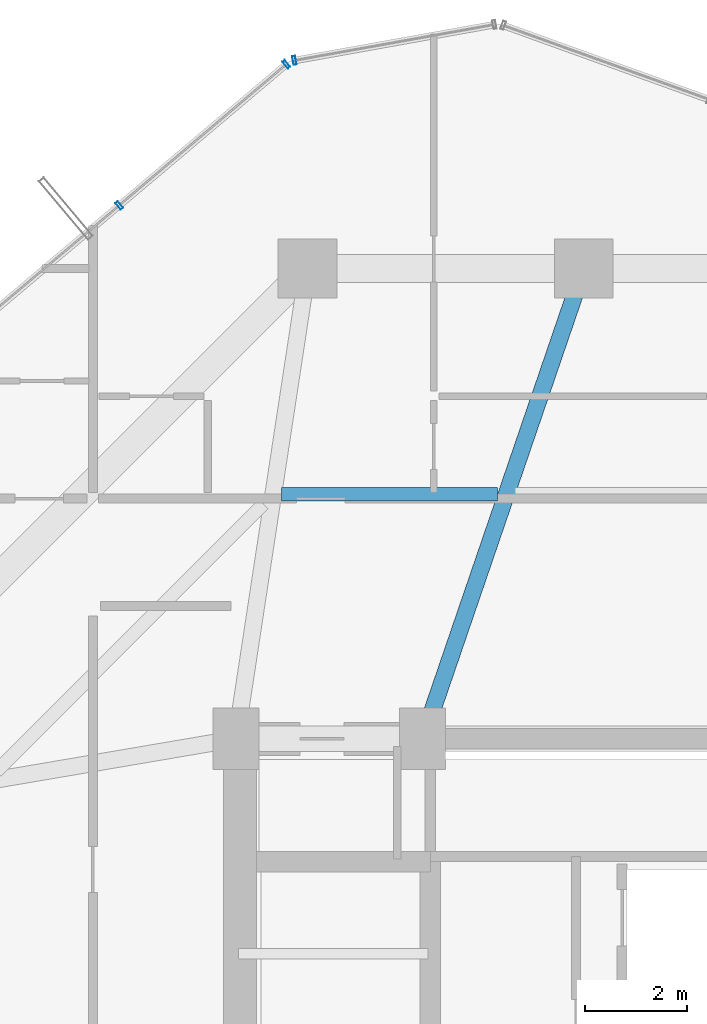
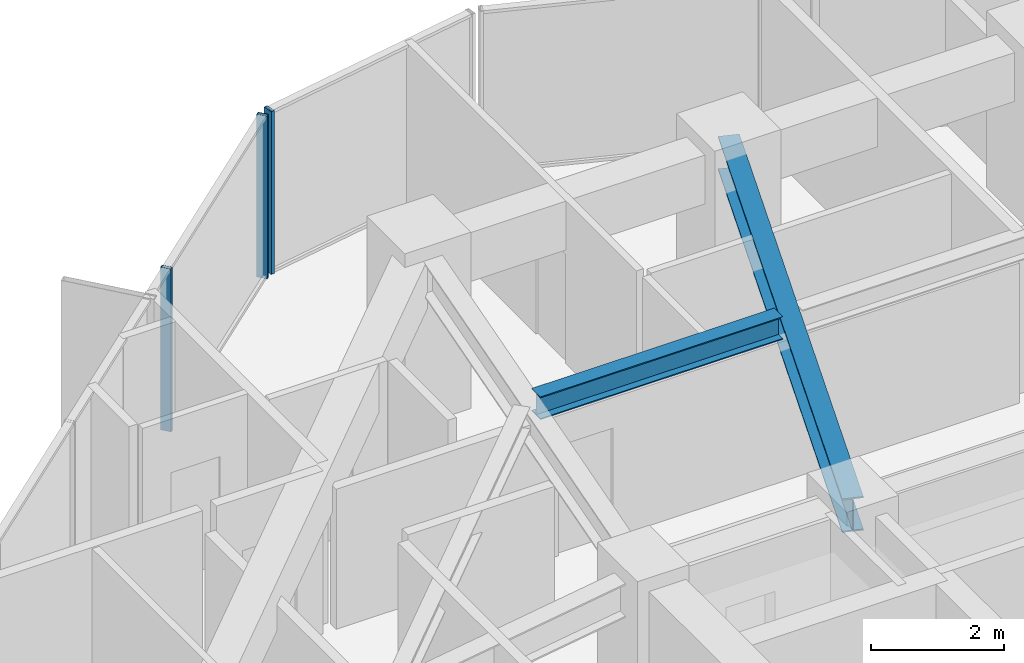
# One storey, part 23 of 36: 3 members, 2 beams, 2 elements without a shape of their own.
"""IFC4 building model written with IfcOpenShell, lengths in metres."""

from ifc_helpers import new_model, si_unit, direction, frame, origin, origin_2d, place, context, subcontext, project, spatial, hollow_rectangle, i_section, extrude, source, transform, mapped, material, layer, layer_set, material_profile, profile_set, type_object, element, aggregate, save


model = new_model("IFC4")

# Units and contexts
model_context = context("Model", 3, precision=1e-05, world=origin(), true_north=direction((0.0, 1.0)))
body_context = subcontext(model_context, "Body", "Model", "MODEL_VIEW")
ifc_project = project(units=[si_unit("LENGTHUNIT", "METRE"), si_unit("AREAUNIT", "SQUARE_METRE"), si_unit("VOLUMEUNIT", "CUBIC_METRE"), si_unit("PLANEANGLEUNIT", "RADIAN"), si_unit("MASSUNIT", "GRAM", prefix="KILO")], contexts=[model_context])

# Site, building, storey
site_placement = place(None, origin())
site = spatial("IfcSite", under=ifc_project, at=site_placement, CompositionType="ELEMENT")
building_placement = place(site_placement, origin())
building = spatial("IfcBuilding", under=site, at=building_placement, Name="Veraguas Prism Commons", CompositionType="ELEMENT")
storey_placement = place(building_placement, frame((0.0, 0.0, 163.050048828125)))
storey = spatial("IfcBuildingStorey", under=building, at=storey_placement, Name="L46", CompositionType="ELEMENT", Elevation=163.050048828125)

# Beams
ifc_material_1 = material(Name="Steel ASTM A992 Grade 50", Category="steel")
ifc_material_profile_1 = material_profile(ifc_material_1, i_section(OverallWidth=0.260986328125, OverallDepth=0.419921875, WebThickness=0.01171875, FlangeThickness=0.019287109375, at=origin_2d()), Name="W410X114")
ifc_profile_set_1 = profile_set([ifc_material_profile_1], Name="Steel ASTM A992 Grade 50")
beam_type_1 = type_object("IfcBeamType", Name="Lower Floor Joist W410x114", PredefinedType="JOIST", material=ifc_profile_set_1)
beam_1_placement = place(storey_placement, frame((22.31689453125, 35.783935546875, 2.7900390625), z_axis=(-1.0, 0.0, 0.0), x_axis=(0.0, -1.0, 0.0)))
element("IfcBeam", 1, at=beam_1_placement, inside=storey, type_object=beam_type_1, Name="Composite Floor Joist L46-JS05", PredefinedType="JOIST", context=body_context, shape_type="SweptSolid", body=[
    extrude(i_section(OverallWidth=0.260986328125, OverallDepth=0.419921875, WebThickness=0.01171875, FlangeThickness=0.019287109375, at=origin_2d()), origin(), (0.0, 0.0, 1.0), 4.22509765625),
])
ifc_material_profile_2 = material_profile(ifc_material_1, i_section(OverallWidth=0.327880859375, OverallDepth=0.6220703125, WebThickness=0.015380859375, FlangeThickness=0.0244140625, at=origin_2d()), Name="W610X195")
ifc_profile_set_2 = profile_set([ifc_material_profile_2], Name="Steel ASTM A992 Grade 50")
beam_type_2 = type_object("IfcBeamType", Name="Zone 2 Radial Girder W610x195", PredefinedType="BEAM", material=ifc_profile_set_2)
beam_2_placement = place(storey_placement, frame((24.0, 40.199951171875, 2.68896484375), z_axis=(-0.323922482989, -0.946083624747, 0.0), x_axis=(0.946083624747, -0.323922482989, 0.0)))
element("IfcBeam", 2, at=beam_2_placement, inside=storey, type_object=beam_type_2, Name="Radial Floor Girder L46-RD05", PredefinedType="BEAM", context=body_context, shape_type="SweptSolid", body=[
    extrude(i_section(OverallWidth=0.327880859375, OverallDepth=0.6220703125, WebThickness=0.015380859375, FlangeThickness=0.0244140625, at=origin_2d()), origin(), (0.0, 0.0, 1.0), 9.724365234375),
])

# Curtain wall, members
ifc_material_2 = material(Name="Anodised aluminium EN AW-6063 T6", Category="aluminium")
ifc_layer = layer(ifc_material_2, 0.169921875, Name="Unitised Flush Curtain Wall Zone 2", Category="aluminium")
ifc_layer_set = layer_set([ifc_layer], Name="Anodised aluminium EN AW-6063 T6")
curtain_wall_type = type_object("IfcCurtainWallType", Name="Unitised Flush Curtain Wall Zone 2", PredefinedType="NOTDEFINED", material=ifc_layer_set)
curtain_wall_1_placement = place(storey_placement, origin())
curtain_wall_1 = element("IfcCurtainWall", 3, at=curtain_wall_1_placement, inside=storey, type_object=curtain_wall_type, Name="Tower Facade Curtain Wall L46-F2", PredefinedType="NOTDEFINED")
ifc_material_profile_3 = material_profile(ifc_material_2, hollow_rectangle(XDim=0.06005859375, YDim=0.169921875, WallThickness=0.00390625, at=origin_2d()), Name="AL60X170X4")
ifc_profile_set_3 = profile_set([ifc_material_profile_3], Name="Anodised aluminium EN AW-6063 T6")
member_type = type_object("IfcMemberType", Name="Curtain Wall Mullion Lower AL 60x170x4", PredefinedType="MULLION", material=ifc_profile_set_3)
shared_shape = source(origin(), body_context, "Body", "SweptSolid", [
    extrude(hollow_rectangle(XDim=0.06005859375, YDim=0.169921875, WallThickness=0.00390625, at=origin_2d()), origin(), (0.0, 0.0, 1.0), 3.0),
])
member_1_placement = place(storey_placement, frame((18.1845703125, 44.1962890625, 0.0), z_axis=(0.0, 0.0, 1.0), x_axis=(-0.764022415403, -0.645189699826, 0.0)))
member_1 = element("IfcMember", 4, at=member_1_placement, type_object=member_type, Name="CW-Z2 Mullion 1", PredefinedType="MULLION", context=body_context, shape_type="MappedRepresentation", body=[
    mapped(shared_shape, transform((0.0, 0.0, 0.0), scale=1.0)),
])
member_2_placement = place(storey_placement, frame((14.91552734375, 41.435791015625, 0.0), z_axis=(0.0, 0.0, 1.0), x_axis=(-0.764022415403, -0.645189699826, 0.0)))
member_2 = element("IfcMember", 5, at=member_2_placement, type_object=member_type, Name="CW-Z2 Mullion 2", PredefinedType="MULLION", context=body_context, shape_type="MappedRepresentation", body=[
    mapped(shared_shape, transform((0.0, 0.0, 0.0), scale=1.0)),
])
aggregate(curtain_wall_1, [member_1, member_2])

# Curtain wall, member
curtain_wall_2_placement = place(storey_placement, origin())
curtain_wall_2 = element("IfcCurtainWall", 6, at=curtain_wall_2_placement, inside=storey, type_object=curtain_wall_type, Name="Chamfer Curtain Wall L46-C2", PredefinedType="NOTDEFINED")
member_3_placement = place(storey_placement, frame((18.341796875, 44.270263671875, 0.0), z_axis=(0.0, 0.0, 1.0), x_axis=(-0.98425797918, -0.176737744754, 0.0)))
member_3 = element("IfcMember", 7, at=member_3_placement, type_object=member_type, Name="CW-Z2 Mullion 2", PredefinedType="MULLION", context=body_context, shape_type="MappedRepresentation", body=[
    mapped(shared_shape, transform((0.0, 0.0, 0.0), scale=1.0)),
])
aggregate(curtain_wall_2, [member_3])

save(model, "model.ifc")
